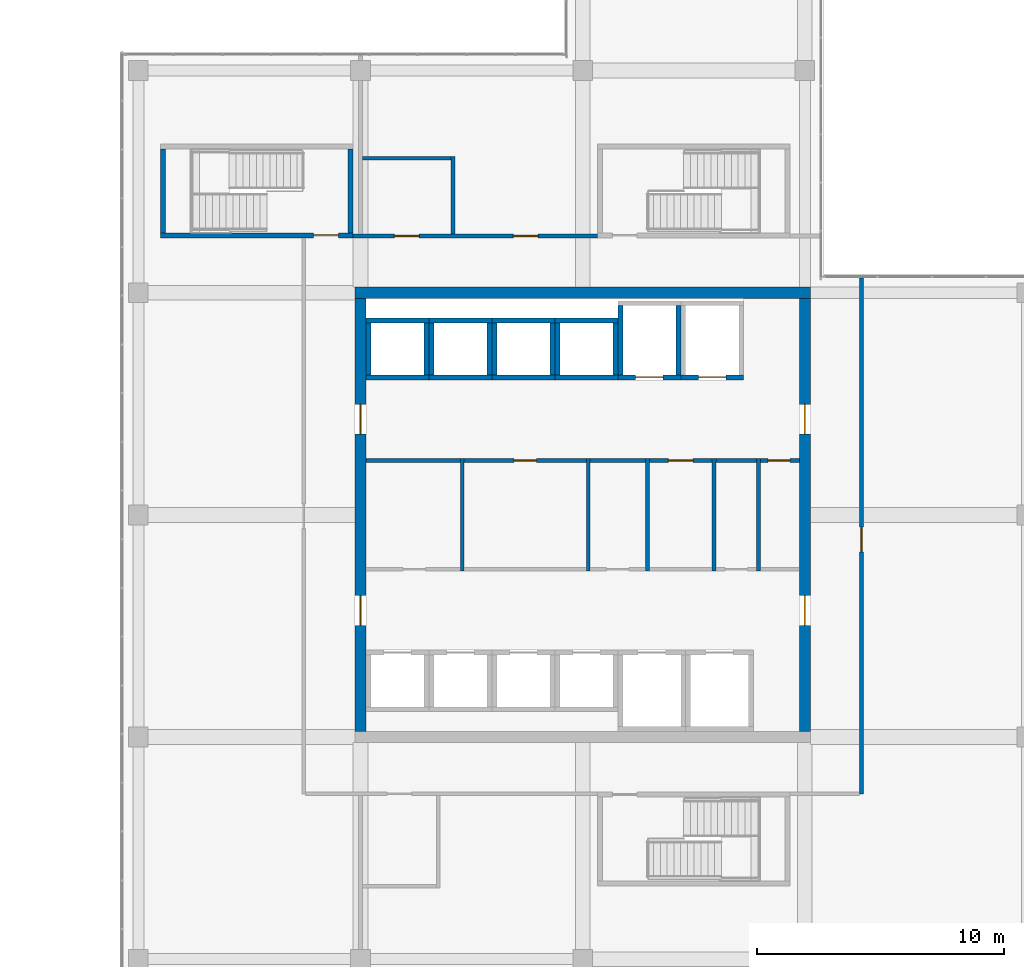
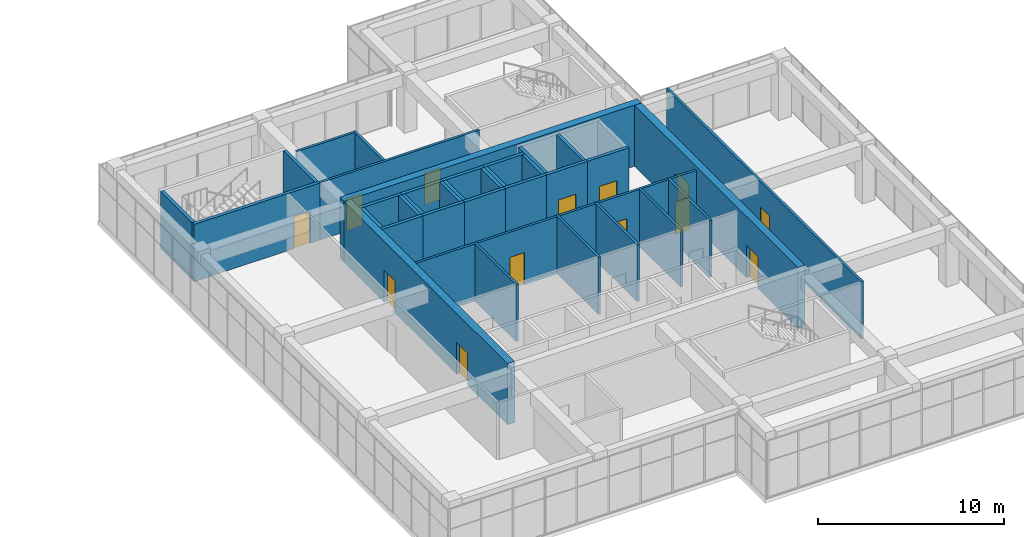
# One storey, part 50 of 55: 41 walls, 13 doors, 13 openings.
"""IFC4 building model written with IfcOpenShell, lengths in metres."""

from ifc_helpers import new_model, si_unit, direction, frame, frame_2d, origin, place, context, subcontext, project, spatial, rectangle, extrude, material, layer, layer_set, type_object, element, fill, save


model = new_model("IFC4")

# Units and contexts
model_context = context("Model", 3, precision=1e-05, world=origin(), true_north=direction((0.0, 1.0)))
body_context = subcontext(model_context, "Body", "Model", "MODEL_VIEW")
ifc_project = project(units=[si_unit("LENGTHUNIT", "METRE"), si_unit("AREAUNIT", "SQUARE_METRE"), si_unit("VOLUMEUNIT", "CUBIC_METRE"), si_unit("PLANEANGLEUNIT", "RADIAN"), si_unit("MASSUNIT", "GRAM", prefix="KILO")], contexts=[model_context])

# Site, building, storey
site_placement = place(None, origin())
site = spatial("IfcSite", under=ifc_project, at=site_placement, CompositionType="ELEMENT")
building_placement = place(site_placement, origin())
building = spatial("IfcBuilding", under=site, at=building_placement, Name="Tuart Plaza Theatre", CompositionType="ELEMENT")
storey_placement = place(building_placement, frame((0.0, 0.0, 21.5)))
storey = spatial("IfcBuildingStorey", under=building, at=storey_placement, Name="L05", CompositionType="ELEMENT", Elevation=21.5)

# Walls
ifc_material_1 = material(Name="Masonry block", Category="masonry")
ifc_layer_1 = layer(ifc_material_1, 0.14990234375)
ifc_layer_set_1 = layer_set([ifc_layer_1], Name="PARTITION BLK150 MASONRYB FRL -/120/120")
wall_type_1 = type_object("IfcWallType", Name="PARTITION BLK150 MASONRYB FRL -/120/120", PredefinedType="PARTITIONING", material=ifc_layer_set_1)
wall_1_placement = place(storey_placement, frame((127.125, 71.72509765625, 0.0), z_axis=(0.0, 0.0, 1.0), x_axis=(0.0, 1.0, 0.0)))
element("IfcWall", 1, at=wall_1_placement, inside=storey, type_object=wall_type_1, Name="P607", PredefinedType="PARTITIONING", context=body_context, shape_type="SweptSolid", body=[
    extrude(rectangle(XDim=4.5498046875, YDim=0.14990234375, at=frame_2d((2.27490234375, 0.0))), origin(), (0.0, 0.0, 1.0), 3.75),
])
wall_2_placement = place(storey_placement, frame((123.22509765625, 76.199951171875, 0.0), z_axis=(0.0, 0.0, 1.0), x_axis=(1.0, 0.0, 0.0)))
element("IfcWall", 2, at=wall_2_placement, inside=storey, type_object=wall_type_1, Name="P609", PredefinedType="PARTITIONING", context=body_context, shape_type="SweptSolid", body=[
    extrude(rectangle(XDim=3.824951171875, YDim=0.14990234375, at=frame_2d((1.91259765625, 0.0))), origin(), (0.0, 0.0, 1.0), 3.75),
])
wall_3_placement = place(storey_placement, frame((132.22509765625, 71.72509765625, 0.0), z_axis=(0.0, 0.0, 1.0), x_axis=(0.0, 1.0, 0.0)))
element("IfcWall", 3, at=wall_3_placement, inside=storey, type_object=wall_type_1, Name="P610", PredefinedType="PARTITIONING", context=body_context, shape_type="SweptSolid", body=[
    extrude(rectangle(XDim=4.5498046875, YDim=0.14990234375, at=frame_2d((2.27490234375, 0.0))), origin(), (0.0, 0.0, 1.0), 3.75),
])

# Wall, opening, door
wall_4_placement = place(storey_placement, frame((127.199951171875, 76.199951171875, 0.0), z_axis=(0.0, 0.0, 1.0), x_axis=(1.0, 0.0, 0.0)))
wall_4 = element("IfcWall", 4, at=wall_4_placement, inside=storey, type_object=wall_type_1, Name="P612", PredefinedType="PARTITIONING", context=body_context, shape_type="SweptSolid", body=[
    extrude(rectangle(XDim=4.949951171875, YDim=0.14990234375, at=frame_2d((2.47509765625, 0.0))), origin(), (0.0, 0.0, 1.0), 3.75),
])
opening_1_placement = place(wall_4_placement, frame((2.02490234375, 0.0, 0.0)))
opening_1 = element("IfcOpeningElement", 5, at=opening_1_placement, cuts=wall_4, Name="Opening L05-019", PredefinedType="OPENING", context=body_context, shape_type="SweptSolid", body=[
    extrude(rectangle(XDim=0.89990234375, YDim=2.10009765625, at=frame_2d((0.449951171875, 1.050048828125))), frame((0.0, 0.0849609375, 0.0), z_axis=(0.0, -1.0, 0.0), x_axis=(1.0, 0.0, 0.0)), (0.0, 0.0, 1.0), 0.169921875),
])
ifc_material_2 = material(Name="Steel Grade 300", Category="steel")
door_type_1 = type_object("IfcDoorType", Name="DOOR 900x2100 steel single swing FRL -/120/30", OperationType="SINGLE_SWING_LEFT", PredefinedType="DOOR", material=ifc_material_2)
door_1_placement = place(opening_1_placement, frame((0.89990234375, 0.0, 0.0), z_axis=(0.0, 0.0, 1.0), x_axis=(-1.0, 0.0, 0.0)))
door_1 = element("IfcDoor", 6, at=door_1_placement, inside=storey, type_object=door_type_1, Name="L05-019", OperationType="SINGLE_SWING_LEFT", OverallHeight=2.10009765625, OverallWidth=0.89990234375, PredefinedType="DOOR", context=body_context, shape_type="SweptSolid", body=[
    extrude(rectangle(XDim=0.89990234375, YDim=2.10009765625, at=frame_2d((0.449951171875, 1.050048828125))), frame((0.0, 0.02490234375, 0.0), z_axis=(0.0, -1.0, 0.0), x_axis=(1.0, 0.0, 0.0)), (0.0, 0.0, 1.0), 0.050048828125),
])
fill(opening_1, door_1)

# Walls
wall_5_placement = place(storey_placement, frame((134.625, 71.72509765625, 0.0), z_axis=(0.0, 0.0, 1.0), x_axis=(0.0, 1.0, 0.0)))
element("IfcWall", 7, at=wall_5_placement, inside=storey, type_object=wall_type_1, Name="P613", PredefinedType="PARTITIONING", context=body_context, shape_type="SweptSolid", body=[
    extrude(rectangle(XDim=4.5498046875, YDim=0.14990234375, at=frame_2d((2.27490234375, 0.0))), origin(), (0.0, 0.0, 1.0), 3.75),
])
wall_6_placement = place(storey_placement, frame((132.300048828125, 76.199951171875, 0.0), z_axis=(0.0, 0.0, 1.0), x_axis=(1.0, 0.0, 0.0)))
element("IfcWall", 8, at=wall_6_placement, inside=storey, type_object=wall_type_1, Name="P615", PredefinedType="PARTITIONING", context=body_context, shape_type="SweptSolid", body=[
    extrude(rectangle(XDim=2.25, YDim=0.14990234375, at=frame_2d((1.125, 0.0))), origin(), (0.0, 0.0, 1.0), 3.75),
])
wall_7_placement = place(storey_placement, frame((137.324951171875, 71.72509765625, 0.0), z_axis=(0.0, 0.0, 1.0), x_axis=(0.0, 1.0, 0.0)))
element("IfcWall", 9, at=wall_7_placement, inside=storey, type_object=wall_type_1, Name="P616", PredefinedType="PARTITIONING", context=body_context, shape_type="SweptSolid", body=[
    extrude(rectangle(XDim=4.5498046875, YDim=0.14990234375, at=frame_2d((2.27490234375, 0.0))), origin(), (0.0, 0.0, 1.0), 3.75),
])

# Wall, opening, door
wall_8_placement = place(storey_placement, frame((134.699951171875, 76.199951171875, 0.0), z_axis=(0.0, 0.0, 1.0), x_axis=(1.0, 0.0, 0.0)))
wall_8 = element("IfcWall", 10, at=wall_8_placement, inside=storey, type_object=wall_type_1, Name="P618", PredefinedType="PARTITIONING", context=body_context, shape_type="SweptSolid", body=[
    extrude(rectangle(XDim=2.550048828125, YDim=0.14990234375, at=frame_2d((1.27490234375, 0.0))), origin(), (0.0, 0.0, 1.0), 3.75),
])
opening_2_placement = place(wall_8_placement, frame((0.77490234375, 0.0, 0.0)))
opening_2 = element("IfcOpeningElement", 11, at=opening_2_placement, cuts=wall_8, Name="Opening L05-021", PredefinedType="OPENING", context=body_context, shape_type="SweptSolid", body=[
    extrude(rectangle(XDim=1.0, YDim=2.10009765625, at=frame_2d((0.5, 1.050048828125))), frame((0.0, 0.0849609375, 0.0), z_axis=(0.0, -1.0, 0.0), x_axis=(1.0, 0.0, 0.0)), (0.0, 0.0, 1.0), 0.169921875),
])
ifc_material_3 = material(Name="Steel Grade 300", Category="steel")
door_type_2 = type_object("IfcDoorType", Name="DOOR 1000x2100 steel single swing FRL -/120/30", OperationType="SINGLE_SWING_LEFT", PredefinedType="DOOR", material=ifc_material_3)
door_2_placement = place(opening_2_placement, frame((1.0, 0.0, 0.0), z_axis=(0.0, 0.0, 1.0), x_axis=(-1.0, 0.0, 0.0)))
door_2 = element("IfcDoor", 12, at=door_2_placement, inside=storey, type_object=door_type_2, Name="L05-021", OperationType="SINGLE_SWING_LEFT", OverallHeight=2.10009765625, OverallWidth=1.0, PredefinedType="DOOR", context=body_context, shape_type="SweptSolid", body=[
    extrude(rectangle(XDim=1.0, YDim=2.10009765625, at=frame_2d((0.5, 1.050048828125))), frame((0.0, 0.02490234375, 0.0), z_axis=(0.0, -1.0, 0.0), x_axis=(1.0, 0.0, 0.0)), (0.0, 0.0, 1.0), 0.050048828125),
])
fill(opening_2, door_2)

# Walls
wall_9_placement = place(storey_placement, frame((139.125, 71.72509765625, 0.0), z_axis=(0.0, 0.0, 1.0), x_axis=(0.0, 1.0, 0.0)))
element("IfcWall", 13, at=wall_9_placement, inside=storey, type_object=wall_type_1, Name="P619", PredefinedType="PARTITIONING", context=body_context, shape_type="SweptSolid", body=[
    extrude(rectangle(XDim=4.5498046875, YDim=0.14990234375, at=frame_2d((2.27490234375, 0.0))), origin(), (0.0, 0.0, 1.0), 3.75),
])
wall_10_placement = place(storey_placement, frame((137.39990234375, 76.199951171875, 0.0), z_axis=(0.0, 0.0, 1.0), x_axis=(1.0, 0.0, 0.0)))
element("IfcWall", 14, at=wall_10_placement, inside=storey, type_object=wall_type_1, Name="P621", PredefinedType="PARTITIONING", context=body_context, shape_type="SweptSolid", body=[
    extrude(rectangle(XDim=1.650146484375, YDim=0.14990234375, at=frame_2d((0.8251953125, 0.0))), origin(), (0.0, 0.0, 1.0), 3.75),
])

# Wall, opening, door
wall_11_placement = place(storey_placement, frame((139.199951171875, 76.199951171875, 0.0), z_axis=(0.0, 0.0, 1.0), x_axis=(1.0, 0.0, 0.0)))
wall_11 = element("IfcWall", 15, at=wall_11_placement, inside=storey, type_object=wall_type_1, Name="P623", PredefinedType="PARTITIONING", context=body_context, shape_type="SweptSolid", body=[
    extrude(rectangle(XDim=1.574951171875, YDim=0.14990234375, at=frame_2d((0.78759765625, 0.0))), origin(), (0.0, 0.0, 1.0), 3.75),
])
opening_3_placement = place(wall_11_placement, frame((0.300048828125, 0.0, 0.0)))
opening_3 = element("IfcOpeningElement", 16, at=opening_3_placement, cuts=wall_11, Name="Opening L05-023", PredefinedType="OPENING", context=body_context, shape_type="SweptSolid", body=[
    extrude(rectangle(XDim=0.89990234375, YDim=2.10009765625, at=frame_2d((0.449951171875, 1.050048828125))), frame((0.0, 0.0849609375, 0.0), z_axis=(0.0, -1.0, 0.0), x_axis=(1.0, 0.0, 0.0)), (0.0, 0.0, 1.0), 0.169921875),
])
door_3_placement = place(opening_3_placement, frame((0.89990234375, 0.0, 0.0), z_axis=(0.0, 0.0, 1.0), x_axis=(-1.0, 0.0, 0.0)))
door_3 = element("IfcDoor", 17, at=door_3_placement, inside=storey, type_object=door_type_1, Name="L05-023", OperationType="SINGLE_SWING_LEFT", OverallHeight=2.10009765625, OverallWidth=0.89990234375, PredefinedType="DOOR", context=body_context, shape_type="SweptSolid", body=[
    extrude(rectangle(XDim=0.89990234375, YDim=2.10009765625, at=frame_2d((0.449951171875, 1.050048828125))), frame((0.0, 0.02490234375, 0.0), z_axis=(0.0, -1.0, 0.0), x_axis=(1.0, 0.0, 0.0)), (0.0, 0.0, 1.0), 0.050048828125),
])
fill(opening_3, door_3)

ifc_material_4 = material(Name="Masonry block", Category="masonry")
ifc_layer_2 = layer(ifc_material_4, 0.14990234375)
ifc_layer_set_2 = layer_set([ifc_layer_2], Name="PARTITION BLK150 MASONRYB FRL 120/-/-")
wall_type_2 = type_object("IfcWallType", Name="PARTITION BLK150 MASONRYB FRL 120/-/-", PredefinedType="PARTITIONING", material=ifc_layer_set_2)
wall_12_placement = place(storey_placement, frame((143.300048828125, 83.60009765625, 0.0), z_axis=(0.0, 0.0, 1.0), x_axis=(0.0, -1.0, 0.0)))
wall_12 = element("IfcWall", 18, at=wall_12_placement, inside=storey, type_object=wall_type_2, Name="P627", PredefinedType="PARTITIONING", context=body_context, shape_type="SweptSolid", body=[
    extrude(rectangle(XDim=20.900146484375, YDim=0.14990234375, at=frame_2d((10.4501953125, 0.0))), origin(), (0.0, 0.0, 1.0), 3.75),
])
opening_4_placement = place(wall_12_placement, frame((10.10009765625, 0.0, 0.0)))
opening_4 = element("IfcOpeningElement", 19, at=opening_4_placement, cuts=wall_12, Name="Opening L05-026", PredefinedType="OPENING", context=body_context, shape_type="SweptSolid", body=[
    extrude(rectangle(XDim=1.0, YDim=2.10009765625, at=frame_2d((0.5, 1.050048828125))), frame((0.0, 0.0849609375, 0.0), z_axis=(0.0, -1.0, 0.0), x_axis=(1.0, 0.0, 0.0)), (0.0, 0.0, 1.0), 0.169921875),
])
ifc_material_5 = material(Name="Timber", Category="wood")
door_type_3 = type_object("IfcDoorType", Name="DOOR 1000x2100 timber single swing FRL -/60/30", OperationType="SINGLE_SWING_LEFT", PredefinedType="DOOR", material=ifc_material_5)
door_4_placement = place(opening_4_placement, origin())
door_4 = element("IfcDoor", 20, at=door_4_placement, inside=storey, type_object=door_type_3, Name="L05-026", OperationType="SINGLE_SWING_LEFT", OverallHeight=2.10009765625, OverallWidth=1.0, PredefinedType="DOOR", context=body_context, shape_type="SweptSolid", body=[
    extrude(rectangle(XDim=1.0, YDim=2.10009765625, at=frame_2d((0.5, 1.050048828125))), frame((0.0, 0.02490234375, 0.0), z_axis=(0.0, -1.0, 0.0), x_axis=(1.0, 0.0, 0.0)), (0.0, 0.0, 1.0), 0.050048828125),
])
fill(opening_4, door_4)

# Wall, openings, doors
wall_13_placement = place(storey_placement, frame((122.699951171875, 85.300048828125, 0.0), z_axis=(0.0, 0.0, 1.0), x_axis=(1.0, 0.0, 0.0)))
wall_13 = element("IfcWall", 21, at=wall_13_placement, inside=storey, type_object=wall_type_2, Name="P628", PredefinedType="PARTITIONING", context=body_context, shape_type="SweptSolid", body=[
    extrude(rectangle(XDim=9.900146484375, YDim=0.14990234375, at=frame_2d((4.9501953125, 0.0))), origin(), (0.0, 0.0, 1.0), 3.75),
])
opening_5_placement = place(wall_13_placement, frame((1.675048828125, 0.0, 0.0)))
opening_5 = element("IfcOpeningElement", 22, at=opening_5_placement, cuts=wall_13, Name="Opening L05-025", PredefinedType="OPENING", context=body_context, shape_type="SweptSolid", body=[
    extrude(rectangle(XDim=1.0, YDim=2.10009765625, at=frame_2d((0.5, 1.050048828125))), frame((0.0, 0.0849609375, 0.0), z_axis=(0.0, -1.0, 0.0), x_axis=(1.0, 0.0, 0.0)), (0.0, 0.0, 1.0), 0.169921875),
])
opening_6_placement = place(wall_13_placement, frame((6.49755859375, 0.0, 0.0)))
opening_6 = element("IfcOpeningElement", 23, at=opening_6_placement, cuts=wall_13, Name="Opening L05-028", PredefinedType="OPENING", context=body_context, shape_type="SweptSolid", body=[
    extrude(rectangle(XDim=1.0, YDim=2.10009765625, at=frame_2d((0.5, 1.050048828125))), frame((0.0, 0.0849609375, 0.0), z_axis=(0.0, -1.0, 0.0), x_axis=(1.0, 0.0, 0.0)), (0.0, 0.0, 1.0), 0.169921875),
])
door_5_placement = place(opening_5_placement, origin())
door_5 = element("IfcDoor", 24, at=door_5_placement, inside=storey, type_object=door_type_3, Name="L05-025", OperationType="SINGLE_SWING_LEFT", OverallHeight=2.10009765625, OverallWidth=1.0, PredefinedType="DOOR", context=body_context, shape_type="SweptSolid", body=[
    extrude(rectangle(XDim=1.0, YDim=2.10009765625, at=frame_2d((0.5, 1.050048828125))), frame((0.0, 0.02490234375, 0.0), z_axis=(0.0, -1.0, 0.0), x_axis=(1.0, 0.0, 0.0)), (0.0, 0.0, 1.0), 0.050048828125),
])
fill(opening_5, door_5)
door_6_placement = place(opening_6_placement, origin())
door_6 = element("IfcDoor", 25, at=door_6_placement, inside=storey, type_object=door_type_3, Name="L05-028", OperationType="SINGLE_SWING_LEFT", OverallHeight=2.10009765625, OverallWidth=1.0, PredefinedType="DOOR", context=body_context, shape_type="SweptSolid", body=[
    extrude(rectangle(XDim=1.0, YDim=2.10009765625, at=frame_2d((0.5, 1.050048828125))), frame((0.0, 0.02490234375, 0.0), z_axis=(0.0, -1.0, 0.0), x_axis=(1.0, 0.0, 0.0)), (0.0, 0.0, 1.0), 0.050048828125),
])
fill(opening_6, door_6)

# Walls
wall_14_placement = place(storey_placement, frame((123.074951171875, 88.449951171875, 0.0), z_axis=(0.0, 0.0, 1.0), x_axis=(1.0, 0.0, 0.0)))
element("IfcWall", 26, at=wall_14_placement, inside=storey, type_object=wall_type_2, Name="P634", PredefinedType="PARTITIONING", context=body_context, shape_type="SweptSolid", body=[
    extrude(rectangle(XDim=3.60009765625, YDim=0.14990234375, at=frame_2d((1.800048828125, 0.0))), origin(), (0.0, 0.0, 1.0), 3.75),
])
wall_15_placement = place(storey_placement, frame((126.75, 85.375, 0.0), z_axis=(0.0, 0.0, 1.0), x_axis=(0.0, 1.0, 0.0)))
element("IfcWall", 27, at=wall_15_placement, inside=storey, type_object=wall_type_2, Name="P635", PredefinedType="PARTITIONING", context=body_context, shape_type="SweptSolid", body=[
    extrude(rectangle(XDim=3.14990234375, YDim=0.14990234375, at=frame_2d((1.574951171875, 0.0))), origin(), (0.0, 0.0, 1.0), 3.75),
])
ifc_material_6 = material(Name="Concrete N40 (40 MPa)", Category="concrete")
ifc_layer_3 = layer(ifc_material_6, 0.199951171875)
ifc_layer_set_3 = layer_set([ifc_layer_3], Name="SHEAR WALL RC200 FRL 120/120/120")
wall_type_3 = type_object("IfcWallType", Name="SHEAR WALL RC200 FRL 120/120/120", PredefinedType="SHEAR", material=ifc_layer_set_3)
wall_16_placement = place(storey_placement, frame((123.22509765625, 79.574951171875, 0.0), z_axis=(0.0, 0.0, 1.0), x_axis=(1.0, 0.0, 0.0)))
element("IfcWall", 28, at=wall_16_placement, inside=storey, type_object=wall_type_3, Name="W746", PredefinedType="SHEAR", context=body_context, shape_type="SweptSolid", body=[
    extrude(rectangle(XDim=2.5498046875, YDim=0.199951171875, at=frame_2d((1.27490234375, 0.0))), origin(), (0.0, 0.0, 1.0), 4.0),
])
wall_17_placement = place(storey_placement, frame((125.675048828125, 79.675048828125, 0.0), z_axis=(0.0, 0.0, 1.0), x_axis=(0.0, 1.0, 0.0)))
element("IfcWall", 29, at=wall_17_placement, inside=storey, type_object=wall_type_3, Name="W747", PredefinedType="SHEAR", context=body_context, shape_type="SweptSolid", body=[
    extrude(rectangle(XDim=2.099853515625, YDim=0.199951171875, at=frame_2d((1.0498046875, 0.0))), origin(), (0.0, 0.0, 1.0), 4.0),
])
wall_18_placement = place(storey_placement, frame((125.77490234375, 81.875, 0.0), z_axis=(0.0, 0.0, 1.0), x_axis=(-1.0, 0.0, 0.0)))
element("IfcWall", 30, at=wall_18_placement, inside=storey, type_object=wall_type_3, Name="W748", PredefinedType="SHEAR", context=body_context, shape_type="SweptSolid", body=[
    extrude(rectangle(XDim=2.5498046875, YDim=0.199951171875, at=frame_2d((1.27490234375, 0.0))), origin(), (0.0, 0.0, 1.0), 4.0),
])
wall_19_placement = place(storey_placement, frame((123.324951171875, 81.77490234375, 0.0), z_axis=(0.0, 0.0, 1.0), x_axis=(0.0, -1.0, 0.0)))
element("IfcWall", 31, at=wall_19_placement, inside=storey, type_object=wall_type_3, Name="W749", PredefinedType="SHEAR", context=body_context, shape_type="SweptSolid", body=[
    extrude(rectangle(XDim=2.099853515625, YDim=0.199951171875, at=frame_2d((1.0498046875, 0.0))), origin(), (0.0, 0.0, 1.0), 4.0),
])
wall_20_placement = place(storey_placement, frame((125.77490234375, 79.574951171875, 0.0), z_axis=(0.0, 0.0, 1.0), x_axis=(1.0, 0.0, 0.0)))
element("IfcWall", 32, at=wall_20_placement, inside=storey, type_object=wall_type_3, Name="W818", PredefinedType="SHEAR", context=body_context, shape_type="SweptSolid", body=[
    extrude(rectangle(XDim=2.550048828125, YDim=0.199951171875, at=frame_2d((1.27490234375, 0.0))), origin(), (0.0, 0.0, 1.0), 4.0),
])
wall_21_placement = place(storey_placement, frame((128.22509765625, 79.675048828125, 0.0), z_axis=(0.0, 0.0, 1.0), x_axis=(0.0, 1.0, 0.0)))
element("IfcWall", 33, at=wall_21_placement, inside=storey, type_object=wall_type_3, Name="W819", PredefinedType="SHEAR", context=body_context, shape_type="SweptSolid", body=[
    extrude(rectangle(XDim=2.099853515625, YDim=0.199951171875, at=frame_2d((1.0498046875, 0.0))), origin(), (0.0, 0.0, 1.0), 4.0),
])
wall_22_placement = place(storey_placement, frame((128.324951171875, 81.875, 0.0), z_axis=(0.0, 0.0, 1.0), x_axis=(-1.0, 0.0, 0.0)))
element("IfcWall", 34, at=wall_22_placement, inside=storey, type_object=wall_type_3, Name="W820", PredefinedType="SHEAR", context=body_context, shape_type="SweptSolid", body=[
    extrude(rectangle(XDim=2.550048828125, YDim=0.199951171875, at=frame_2d((1.27490234375, 0.0))), origin(), (0.0, 0.0, 1.0), 4.0),
])
wall_23_placement = place(storey_placement, frame((125.875, 81.77490234375, 0.0), z_axis=(0.0, 0.0, 1.0), x_axis=(0.0, -1.0, 0.0)))
element("IfcWall", 35, at=wall_23_placement, inside=storey, type_object=wall_type_3, Name="W821", PredefinedType="SHEAR", context=body_context, shape_type="SweptSolid", body=[
    extrude(rectangle(XDim=2.099853515625, YDim=0.199951171875, at=frame_2d((1.0498046875, 0.0))), origin(), (0.0, 0.0, 1.0), 4.0),
])
wall_24_placement = place(storey_placement, frame((128.324951171875, 79.574951171875, 0.0), z_axis=(0.0, 0.0, 1.0), x_axis=(1.0, 0.0, 0.0)))
element("IfcWall", 36, at=wall_24_placement, inside=storey, type_object=wall_type_3, Name="W890", PredefinedType="SHEAR", context=body_context, shape_type="SweptSolid", body=[
    extrude(rectangle(XDim=2.550048828125, YDim=0.199951171875, at=frame_2d((1.27490234375, 0.0))), origin(), (0.0, 0.0, 1.0), 4.0),
])
wall_25_placement = place(storey_placement, frame((130.77490234375, 79.675048828125, 0.0), z_axis=(0.0, 0.0, 1.0), x_axis=(0.0, 1.0, 0.0)))
element("IfcWall", 37, at=wall_25_placement, inside=storey, type_object=wall_type_3, Name="W891", PredefinedType="SHEAR", context=body_context, shape_type="SweptSolid", body=[
    extrude(rectangle(XDim=2.099853515625, YDim=0.199951171875, at=frame_2d((1.0498046875, 0.0))), origin(), (0.0, 0.0, 1.0), 4.0),
])
wall_26_placement = place(storey_placement, frame((130.875, 81.875, 0.0), z_axis=(0.0, 0.0, 1.0), x_axis=(-1.0, 0.0, 0.0)))
element("IfcWall", 38, at=wall_26_placement, inside=storey, type_object=wall_type_3, Name="W892", PredefinedType="SHEAR", context=body_context, shape_type="SweptSolid", body=[
    extrude(rectangle(XDim=2.550048828125, YDim=0.199951171875, at=frame_2d((1.27490234375, 0.0))), origin(), (0.0, 0.0, 1.0), 4.0),
])
wall_27_placement = place(storey_placement, frame((128.425048828125, 81.77490234375, 0.0), z_axis=(0.0, 0.0, 1.0), x_axis=(0.0, -1.0, 0.0)))
element("IfcWall", 39, at=wall_27_placement, inside=storey, type_object=wall_type_3, Name="W893", PredefinedType="SHEAR", context=body_context, shape_type="SweptSolid", body=[
    extrude(rectangle(XDim=2.099853515625, YDim=0.199951171875, at=frame_2d((1.0498046875, 0.0))), origin(), (0.0, 0.0, 1.0), 4.0),
])
wall_28_placement = place(storey_placement, frame((130.875, 79.574951171875, 0.0), z_axis=(0.0, 0.0, 1.0), x_axis=(1.0, 0.0, 0.0)))
element("IfcWall", 40, at=wall_28_placement, inside=storey, type_object=wall_type_3, Name="W962", PredefinedType="SHEAR", context=body_context, shape_type="SweptSolid", body=[
    extrude(rectangle(XDim=2.550048828125, YDim=0.199951171875, at=frame_2d((1.27490234375, 0.0))), origin(), (0.0, 0.0, 1.0), 4.0),
])
wall_29_placement = place(storey_placement, frame((133.324951171875, 79.675048828125, 0.0), z_axis=(0.0, 0.0, 1.0), x_axis=(0.0, 1.0, 0.0)))
element("IfcWall", 41, at=wall_29_placement, inside=storey, type_object=wall_type_3, Name="W963", PredefinedType="SHEAR", context=body_context, shape_type="SweptSolid", body=[
    extrude(rectangle(XDim=2.099853515625, YDim=0.199951171875, at=frame_2d((1.0498046875, 0.0))), origin(), (0.0, 0.0, 1.0), 4.0),
])
wall_30_placement = place(storey_placement, frame((133.425048828125, 81.875, 0.0), z_axis=(0.0, 0.0, 1.0), x_axis=(-1.0, 0.0, 0.0)))
element("IfcWall", 42, at=wall_30_placement, inside=storey, type_object=wall_type_3, Name="W964", PredefinedType="SHEAR", context=body_context, shape_type="SweptSolid", body=[
    extrude(rectangle(XDim=2.550048828125, YDim=0.199951171875, at=frame_2d((1.27490234375, 0.0))), origin(), (0.0, 0.0, 1.0), 4.0),
])
wall_31_placement = place(storey_placement, frame((130.97509765625, 81.77490234375, 0.0), z_axis=(0.0, 0.0, 1.0), x_axis=(0.0, -1.0, 0.0)))
element("IfcWall", 43, at=wall_31_placement, inside=storey, type_object=wall_type_3, Name="W965", PredefinedType="SHEAR", context=body_context, shape_type="SweptSolid", body=[
    extrude(rectangle(XDim=2.099853515625, YDim=0.199951171875, at=frame_2d((1.0498046875, 0.0))), origin(), (0.0, 0.0, 1.0), 4.0),
])

# Wall, opening, door
wall_32_placement = place(storey_placement, frame((133.425048828125, 79.574951171875, 0.0), z_axis=(0.0, 0.0, 1.0), x_axis=(1.0, 0.0, 0.0)))
wall_32 = element("IfcWall", 44, at=wall_32_placement, inside=storey, type_object=wall_type_3, Name="W1186", PredefinedType="SHEAR", context=body_context, shape_type="SweptSolid", body=[
    extrude(rectangle(XDim=2.550048828125, YDim=0.199951171875, at=frame_2d((1.27490234375, 0.0))), origin(), (0.0, 0.0, 1.0), 4.0),
])
opening_7_placement = place(wall_32_placement, frame((0.72509765625, 0.0, 0.0)))
opening_7 = element("IfcOpeningElement", 45, at=opening_7_placement, cuts=wall_32, Name="Opening L05-009", PredefinedType="OPENING", context=body_context, shape_type="SweptSolid", body=[
    extrude(rectangle(XDim=1.10009765625, YDim=2.10009765625, at=frame_2d((0.550048828125, 1.050048828125))), frame((0.0, 0.10986328125, 0.0), z_axis=(0.0, -1.0, 0.0), x_axis=(1.0, 0.0, 0.0)), (0.0, 0.0, 1.0), 0.219970703125),
])
ifc_material_7 = material(Name="Steel Grade 300", Category="steel")
door_type_4 = type_object("IfcDoorType", Name="LANDING DOOR 1100x2100 steel sliding FRL -/120/30", OperationType="SLIDING_TO_LEFT", PredefinedType="DOOR", material=ifc_material_7)
door_7_placement = place(opening_7_placement, origin())
door_7 = element("IfcDoor", 46, at=door_7_placement, inside=storey, type_object=door_type_4, Name="L05-009", OperationType="SLIDING_TO_LEFT", OverallHeight=2.10009765625, OverallWidth=1.10009765625, PredefinedType="DOOR", context=body_context, shape_type="SweptSolid", body=[
    extrude(rectangle(XDim=1.10009765625, YDim=2.10009765625, at=frame_2d((0.550048828125, 1.050048828125))), frame((0.0, 0.02490234375, 0.0), z_axis=(0.0, -1.0, 0.0), x_axis=(1.0, 0.0, 0.0)), (0.0, 0.0, 1.0), 0.050048828125),
])
fill(opening_7, door_7)

# Walls
for number, where, z_axis, x_axis, name in (
    (47, (135.875, 79.675048828125, 0.0), (0.0, 0.0, 1.0), (0.0, 1.0, 0.0), "W1187"),
    (48, (133.52490234375, 82.47509765625, 0.0), (0.0, 0.0, 1.0), (0.0, -1.0, 0.0), "W1189"),
):
    element("IfcWall", number, at=place(storey_placement, frame(where, z_axis=z_axis, x_axis=x_axis)), inside=storey, type_object=wall_type_3, Name=name, PredefinedType="SHEAR", context=body_context, shape_type="SweptSolid", body=[
        extrude(rectangle(XDim=2.800048828125, YDim=0.199951171875, at=frame_2d((1.39990234375, 0.0))), origin(), (0.0, 0.0, 1.0), 4.0),
    ])

# Wall, opening, door
wall_33_placement = place(storey_placement, frame((135.97509765625, 79.574951171875, 0.0), z_axis=(0.0, 0.0, 1.0), x_axis=(1.0, 0.0, 0.0)))
wall_33 = element("IfcWall", 49, at=wall_33_placement, inside=storey, type_object=wall_type_3, Name="W1262", PredefinedType="SHEAR", context=body_context, shape_type="SweptSolid", body=[
    extrude(rectangle(XDim=2.5498046875, YDim=0.199951171875, at=frame_2d((1.27490234375, 0.0))), origin(), (0.0, 0.0, 1.0), 4.0),
])
opening_8_placement = place(wall_33_placement, frame((0.72509765625, 0.0, 0.0)))
opening_8 = element("IfcOpeningElement", 50, at=opening_8_placement, cuts=wall_33, Name="Opening L05-010", PredefinedType="OPENING", context=body_context, shape_type="SweptSolid", body=[
    extrude(rectangle(XDim=1.10009765625, YDim=2.10009765625, at=frame_2d((0.550048828125, 1.050048828125))), frame((0.0, 0.10986328125, 0.0), z_axis=(0.0, -1.0, 0.0), x_axis=(1.0, 0.0, 0.0)), (0.0, 0.0, 1.0), 0.219970703125),
])
door_8_placement = place(opening_8_placement, origin())
door_8 = element("IfcDoor", 51, at=door_8_placement, inside=storey, type_object=door_type_4, Name="L05-010", OperationType="SLIDING_TO_LEFT", OverallHeight=2.10009765625, OverallWidth=1.10009765625, PredefinedType="DOOR", context=body_context, shape_type="SweptSolid", body=[
    extrude(rectangle(XDim=1.10009765625, YDim=2.10009765625, at=frame_2d((0.550048828125, 1.050048828125))), frame((0.0, 0.02490234375, 0.0), z_axis=(0.0, -1.0, 0.0), x_axis=(1.0, 0.0, 0.0)), (0.0, 0.0, 1.0), 0.050048828125),
])
fill(opening_8, door_8)

wall_34_placement = place(storey_placement, frame((114.89990234375, 85.324951171875, 0.0), z_axis=(0.0, 0.0, 1.0), x_axis=(1.0, 0.0, 0.0)))
wall_34 = element("IfcWall", 52, at=wall_34_placement, inside=storey, type_object=wall_type_3, Name="P456", PredefinedType="SHEAR", context=body_context, shape_type="SweptSolid", body=[
    extrude(rectangle(XDim=7.800048828125, YDim=0.199951171875, at=frame_2d((3.89990234375, 0.0))), origin(), (0.0, 0.0, 1.0), 3.75),
])
opening_9_placement = place(wall_34_placement, frame((6.199951171875, 0.0, 0.0)))
opening_9 = element("IfcOpeningElement", 53, at=opening_9_placement, cuts=wall_34, Name="Opening L05-013", PredefinedType="OPENING", context=body_context, shape_type="SweptSolid", body=[
    extrude(rectangle(XDim=1.0, YDim=2.10009765625, at=frame_2d((0.5, 1.050048828125))), frame((0.0, 0.10986328125, 0.0), z_axis=(0.0, -1.0, 0.0), x_axis=(1.0, 0.0, 0.0)), (0.0, 0.0, 1.0), 0.219970703125),
])
door_9_placement = place(opening_9_placement, origin())
door_9 = element("IfcDoor", 54, at=door_9_placement, inside=storey, type_object=door_type_2, Name="L05-013", OperationType="SINGLE_SWING_LEFT", OverallHeight=2.10009765625, OverallWidth=1.0, PredefinedType="DOOR", context=body_context, shape_type="SweptSolid", body=[
    extrude(rectangle(XDim=1.0, YDim=2.10009765625, at=frame_2d((0.5, 1.050048828125))), frame((0.0, 0.02490234375, 0.0), z_axis=(0.0, -1.0, 0.0), x_axis=(1.0, 0.0, 0.0)), (0.0, 0.0, 1.0), 0.050048828125),
])
fill(opening_9, door_9)

# Walls
for number, where, z_axis, x_axis, name in (
    (55, (122.60009765625, 85.425048828125, 0.0), (0.0, 0.0, 1.0), (0.0, 1.0, 0.0), "P457"),
    (56, (115.0, 88.824951171875, 0.0), (0.0, 0.0, 1.0), (0.0, -1.0, 0.0), "P459"),
):
    element("IfcWall", number, at=place(storey_placement, frame(where, z_axis=z_axis, x_axis=x_axis)), inside=storey, type_object=wall_type_3, Name=name, PredefinedType="SHEAR", context=body_context, shape_type="SweptSolid", body=[
        extrude(rectangle(XDim=3.39990234375, YDim=0.199951171875, at=frame_2d((1.699951171875, 0.0))), origin(), (0.0, 0.0, 1.0), 3.75),
    ])

# Wall, openings, doors
ifc_material_8 = material(Name="Concrete N50 (50 MPa)", Category="concrete")
ifc_layer_4 = layer(ifc_material_8, 0.449951171875)
ifc_layer_set_4 = layer_set([ifc_layer_4], Name="SHEAR WALL RC450 N50 FRL 120/120/120")
wall_type_4 = type_object("IfcWallType", Name="SHEAR WALL RC450 N50 FRL 120/120/120", PredefinedType="SHEAR", material=ifc_layer_set_4)
wall_35_placement = place(storey_placement, frame((141.0, 65.22509765625, 0.0), z_axis=(0.0, 0.0, 1.0), x_axis=(0.0, 1.0, 0.0)))
wall_35 = element("IfcWall", 57, at=wall_35_placement, inside=storey, type_object=wall_type_4, Name="W380", PredefinedType="SHEAR", context=body_context, shape_type="SweptSolid", body=[
    extrude(rectangle(XDim=17.5498046875, YDim=0.449951171875, at=frame_2d((8.77490234375, 0.0))), origin(), (0.0, 0.0, 1.0), 4.0),
])
opening_10_placement = place(wall_35_placement, frame((4.300048828125, 0.0, 0.0)))
opening_10 = element("IfcOpeningElement", 58, at=opening_10_placement, cuts=wall_35, Name="Opening L05-015", PredefinedType="OPENING", context=body_context, shape_type="SweptSolid", body=[
    extrude(rectangle(XDim=1.199951171875, YDim=2.10009765625, at=frame_2d((0.60009765625, 1.050048828125))), frame((0.0, 0.23486328125, 0.0), z_axis=(0.0, -1.0, 0.0), x_axis=(1.0, 0.0, 0.0)), (0.0, 0.0, 1.0), 0.469970703125),
])
opening_11_placement = place(wall_35_placement, frame((12.050048828125, 0.0, 0.0)))
opening_11 = element("IfcOpeningElement", 59, at=opening_11_placement, cuts=wall_35, Name="Opening L05-017", PredefinedType="OPENING", context=body_context, shape_type="SweptSolid", body=[
    extrude(rectangle(XDim=1.199951171875, YDim=2.10009765625, at=frame_2d((0.60009765625, 1.050048828125))), frame((0.0, 0.23486328125, 0.0), z_axis=(0.0, -1.0, 0.0), x_axis=(1.0, 0.0, 0.0)), (0.0, 0.0, 1.0), 0.469970703125),
])
ifc_material_9 = material(Name="Steel Grade 300", Category="steel")
door_type_5 = type_object("IfcDoorType", Name="DOOR 1200x2100 steel single swing FRL -/120/30", OperationType="SINGLE_SWING_LEFT", PredefinedType="DOOR", material=ifc_material_9)
door_10_placement = place(opening_10_placement, frame((1.199951171875, 0.0, 0.0), z_axis=(0.0, 0.0, 1.0), x_axis=(-1.0, 0.0, 0.0)))
door_10 = element("IfcDoor", 60, at=door_10_placement, inside=storey, type_object=door_type_5, Name="L05-015", OperationType="SINGLE_SWING_LEFT", OverallHeight=2.10009765625, OverallWidth=1.199951171875, PredefinedType="DOOR", context=body_context, shape_type="SweptSolid", body=[
    extrude(rectangle(XDim=1.199951171875, YDim=2.10009765625, at=frame_2d((0.60009765625, 1.050048828125))), frame((0.0, 0.02490234375, 0.0), z_axis=(0.0, -1.0, 0.0), x_axis=(1.0, 0.0, 0.0)), (0.0, 0.0, 1.0), 0.050048828125),
])
fill(opening_10, door_10)
door_11_placement = place(opening_11_placement, frame((1.199951171875, 0.0, 0.0), z_axis=(0.0, 0.0, 1.0), x_axis=(-1.0, 0.0, 0.0)))
door_11 = element("IfcDoor", 61, at=door_11_placement, inside=storey, type_object=door_type_5, Name="L05-017", OperationType="SINGLE_SWING_RIGHT", OverallHeight=2.10009765625, OverallWidth=1.199951171875, PredefinedType="DOOR", context=body_context, shape_type="SweptSolid", body=[
    extrude(rectangle(XDim=1.199951171875, YDim=2.10009765625, at=frame_2d((0.60009765625, 1.050048828125))), frame((0.0, 0.02490234375, 0.0), z_axis=(0.0, -1.0, 0.0), x_axis=(1.0, 0.0, 0.0)), (0.0, 0.0, 1.0), 0.050048828125),
])
fill(opening_11, door_11)

# Wall
wall_36_placement = place(storey_placement, frame((141.22509765625, 83.0, 0.0), z_axis=(0.0, 0.0, 1.0), x_axis=(-1.0, 0.0, 0.0)))
element("IfcWall", 62, at=wall_36_placement, inside=storey, type_object=wall_type_4, Name="W381", PredefinedType="SHEAR", context=body_context, shape_type="SweptSolid", body=[
    extrude(rectangle(XDim=18.4501953125, YDim=0.449951171875, at=frame_2d((9.22509765625, 0.0))), origin(), (0.0, 0.0, 1.0), 4.0),
])

# Wall, openings, doors
wall_37_placement = place(storey_placement, frame((123.0, 82.77490234375, 0.0), z_axis=(0.0, 0.0, 1.0), x_axis=(0.0, -1.0, 0.0)))
wall_37 = element("IfcWall", 63, at=wall_37_placement, inside=storey, type_object=wall_type_4, Name="W382", PredefinedType="SHEAR", context=body_context, shape_type="SweptSolid", body=[
    extrude(rectangle(XDim=17.5498046875, YDim=0.449951171875, at=frame_2d((8.77490234375, 0.0))), origin(), (0.0, 0.0, 1.0), 4.0),
])
opening_12_placement = place(wall_37_placement, frame((12.050048828125, 0.0, 0.0)))
opening_12 = element("IfcOpeningElement", 64, at=opening_12_placement, cuts=wall_37, Name="Opening L05-014", PredefinedType="OPENING", context=body_context, shape_type="SweptSolid", body=[
    extrude(rectangle(XDim=1.199951171875, YDim=2.10009765625, at=frame_2d((0.60009765625, 1.050048828125))), frame((0.0, 0.23486328125, 0.0), z_axis=(0.0, -1.0, 0.0), x_axis=(1.0, 0.0, 0.0)), (0.0, 0.0, 1.0), 0.469970703125),
])
opening_13_placement = place(wall_37_placement, frame((4.300048828125, 0.0, 0.0)))
opening_13 = element("IfcOpeningElement", 65, at=opening_13_placement, cuts=wall_37, Name="Opening L05-016", PredefinedType="OPENING", context=body_context, shape_type="SweptSolid", body=[
    extrude(rectangle(XDim=1.199951171875, YDim=2.10009765625, at=frame_2d((0.60009765625, 1.050048828125))), frame((0.0, 0.23486328125, 0.0), z_axis=(0.0, -1.0, 0.0), x_axis=(1.0, 0.0, 0.0)), (0.0, 0.0, 1.0), 0.469970703125),
])
door_12_placement = place(opening_12_placement, frame((1.199951171875, 0.0, 0.0), z_axis=(0.0, 0.0, 1.0), x_axis=(-1.0, 0.0, 0.0)))
door_12 = element("IfcDoor", 66, at=door_12_placement, inside=storey, type_object=door_type_5, Name="L05-014", OperationType="SINGLE_SWING_RIGHT", OverallHeight=2.10009765625, OverallWidth=1.199951171875, PredefinedType="DOOR", context=body_context, shape_type="SweptSolid", body=[
    extrude(rectangle(XDim=1.199951171875, YDim=2.10009765625, at=frame_2d((0.60009765625, 1.050048828125))), frame((0.0, 0.02490234375, 0.0), z_axis=(0.0, -1.0, 0.0), x_axis=(1.0, 0.0, 0.0)), (0.0, 0.0, 1.0), 0.050048828125),
])
fill(opening_12, door_12)
door_13_placement = place(opening_13_placement, frame((1.199951171875, 0.0, 0.0), z_axis=(0.0, 0.0, 1.0), x_axis=(-1.0, 0.0, 0.0)))
door_13 = element("IfcDoor", 67, at=door_13_placement, inside=storey, type_object=door_type_5, Name="L05-016", OperationType="SINGLE_SWING_LEFT", OverallHeight=2.10009765625, OverallWidth=1.199951171875, PredefinedType="DOOR", context=body_context, shape_type="SweptSolid", body=[
    extrude(rectangle(XDim=1.199951171875, YDim=2.10009765625, at=frame_2d((0.60009765625, 1.050048828125))), frame((0.0, 0.02490234375, 0.0), z_axis=(0.0, -1.0, 0.0), x_axis=(1.0, 0.0, 0.0)), (0.0, 0.0, 1.0), 0.050048828125),
])
fill(opening_13, door_13)

save(model, "model.ifc")
